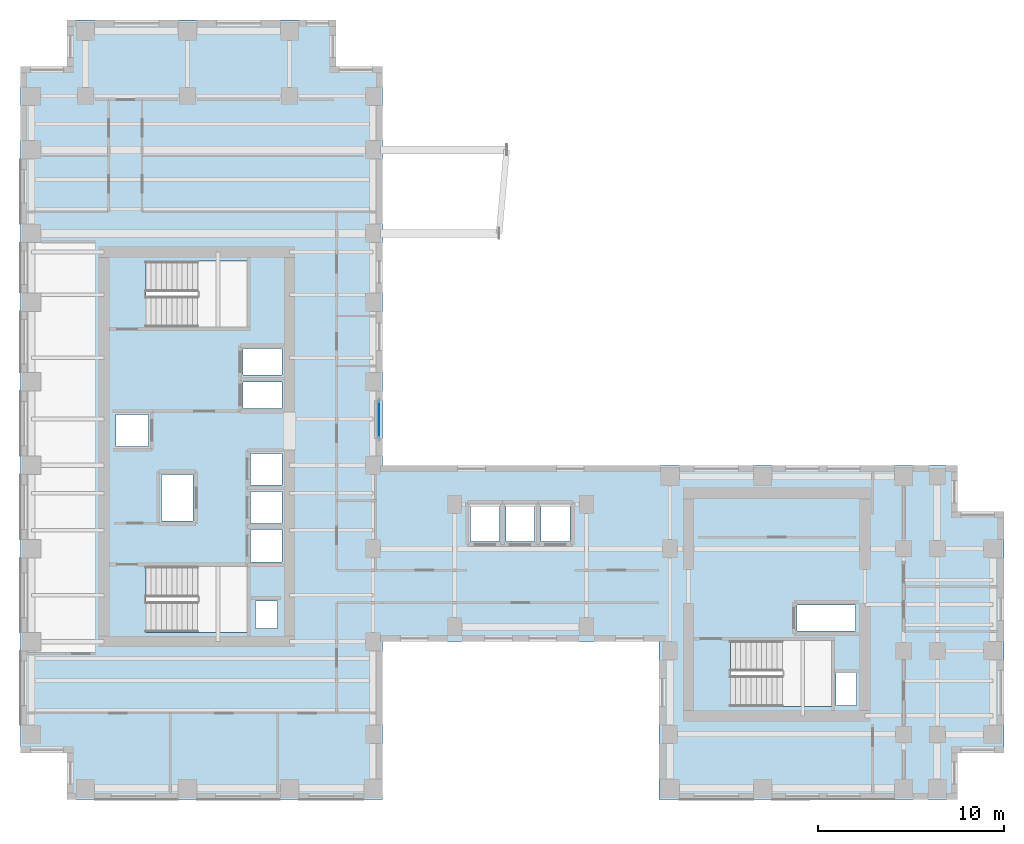
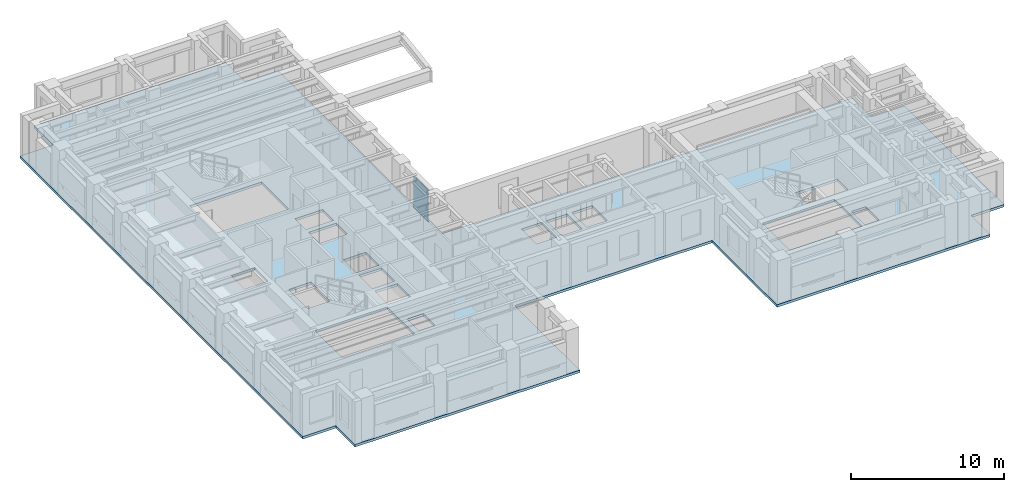
# One storey, part 4 of 14: 1 plate, 1 slab, 1 element without a shape of its own.
"""IFC4 building model written with IfcOpenShell, lengths in metres."""

from ifc_helpers import new_model, si_unit, direction, frame, origin, origin_2d, place, context, subcontext, project, spatial, polyline, rectangle, outline, extrude, source, transform, mapped, material, layer, layer_set, type_object, element, aggregate, save


model = new_model("IFC4")

# Units and contexts
model_context = context("Model", 3, precision=1e-05, world=origin(), true_north=direction((0.0, 1.0)))
body_context = subcontext(model_context, "Body", "Model", "MODEL_VIEW")
ifc_project = project(units=[si_unit("LENGTHUNIT", "METRE"), si_unit("AREAUNIT", "SQUARE_METRE"), si_unit("VOLUMEUNIT", "CUBIC_METRE"), si_unit("PLANEANGLEUNIT", "RADIAN"), si_unit("MASSUNIT", "GRAM", prefix="KILO")], contexts=[model_context])

# Site, building, storey
site_placement = place(None, origin())
site = spatial("IfcSite", under=ifc_project, at=site_placement, CompositionType="ELEMENT")
building_placement = place(site_placement, origin())
building = spatial("IfcBuilding", under=site, at=building_placement, Name="Kharzan Plaza Tower", CompositionType="ELEMENT")
storey_placement = place(building_placement, frame((0.0, 0.0, 168.300048828125)))
storey = spatial("IfcBuildingStorey", under=building, at=storey_placement, Name="L45", CompositionType="ELEMENT", Elevation=168.300048828125)

# Slab
ifc_material_1 = material(Name="Concrete C40/50", Category="concrete")
ifc_layer_1 = layer(ifc_material_1, 0.199951171875)
ifc_layer_set_1 = layer_set([ifc_layer_1], Name="Concrete C40/50")
slab_type = type_object("IfcSlabType", Name="SL-FLOOR-200", PredefinedType="FLOOR", material=ifc_layer_set_1)
slab_placement = place(storey_placement, frame((0.0, 0.0, -0.199951171875)))
element("IfcSlab", 1, at=slab_placement, inside=storey, type_object=slab_type, Name="L45 Composite Structural Floor Slab 200 mm", PredefinedType="FLOOR", context=body_context, shape_type="SweptSolid", body=[
    extrude(outline(polyline([(34.39990234375, 18.0), (19.5, 18.0), (19.5, 39.5), (17.0, 39.5), (17.0, 42.0), (2.5, 42.0), (2.5, 39.5), (0.0, 39.5), (0.0, 2.5), (2.5, 2.5), (2.5, 0.0), (19.5, 0.0), (19.5, 8.5), (34.39990234375, 8.5), (34.39990234375, 0.0), (50.5, 0.0), (50.5, 2.5), (53.0, 2.5), (53.0, 15.5), (50.5, 15.5), (50.5, 18.0), (34.39990234375, 18.0)]), holes=[polyline([(12.199951171875, 9.0), (12.199951171875, 12.550048828125), (6.75, 12.550048828125), (6.75, 9.0), (12.199951171875, 9.0)]), polyline([(14.10009765625, 12.800048828125), (14.10009765625, 14.530029296875), (12.39990234375, 14.530029296875), (12.39990234375, 12.800048828125), (14.10009765625, 12.800048828125)]), polyline([(14.10009765625, 14.8701171875), (14.10009765625, 16.60009765625), (12.39990234375, 16.60009765625), (12.39990234375, 14.8701171875), (14.10009765625, 14.8701171875)]), polyline([(9.300048828125, 15.0), (9.300048828125, 17.5), (7.60009765625, 17.5), (7.60009765625, 15.0), (9.300048828125, 15.0)]), polyline([(6.89990234375, 19.010009765625), (6.89990234375, 20.72998046875), (5.14990234375, 20.72998046875), (5.14990234375, 19.010009765625), (6.89990234375, 19.010009765625)]), polyline([(14.10009765625, 21.070068359375), (14.10009765625, 22.489990234375), (12.0, 22.489990234375), (12.0, 21.070068359375), (14.10009765625, 21.070068359375)]), polyline([(14.10009765625, 22.8701171875), (14.10009765625, 24.2900390625), (12.0, 24.2900390625), (12.0, 22.8701171875), (14.10009765625, 22.8701171875)]), polyline([(12.199951171875, 25.449951171875), (12.199951171875, 29.0), (6.75, 29.0), (6.75, 25.449951171875), (12.199951171875, 25.449951171875)]), polyline([(45.050048828125, 5.050048828125), (45.050048828125, 6.800048828125), (43.949951171875, 6.800048828125), (43.949951171875, 5.050048828125), (45.050048828125, 5.050048828125)]), polyline([(43.699951171875, 5.0), (43.699951171875, 8.550048828125), (38.25, 8.550048828125), (38.25, 5.0), (43.699951171875, 5.0)]), polyline([(45.0, 9.070068359375), (45.0, 10.469970703125), (41.85009765625, 10.469970703125), (41.85009765625, 9.070068359375), (45.0, 9.070068359375)]), polyline([(13.85009765625, 9.199951171875), (13.85009765625, 10.699951171875), (12.64990234375, 10.699951171875), (12.64990234375, 9.199951171875), (13.85009765625, 9.199951171875)]), polyline([(25.800048828125, 13.89990234375), (25.800048828125, 15.85009765625), (24.25, 15.85009765625), (24.25, 13.89990234375), (25.800048828125, 13.89990234375)]), polyline([(27.699951171875, 13.89990234375), (27.699951171875, 15.85009765625), (26.14990234375, 15.85009765625), (26.14990234375, 13.89990234375), (27.699951171875, 13.89990234375)]), polyline([(29.60009765625, 13.89990234375), (29.60009765625, 15.85009765625), (28.050048828125, 15.85009765625), (28.050048828125, 13.89990234375), (29.60009765625, 13.89990234375)]), polyline([(14.10009765625, 16.93994140625), (14.10009765625, 18.64990234375), (12.39990234375, 18.64990234375), (12.39990234375, 16.93994140625), (14.10009765625, 16.93994140625)])]), origin(), (0.0, 0.0, 1.0), 0.199951171875),
])

# Curtain wall, plate
ifc_material_2 = material(Name="Unitised Bronze-Anodized Aluminium and Low-E Glass", Category="aluminium")
ifc_layer_2 = layer(ifc_material_2, 0.199951171875)
ifc_layer_set_2 = layer_set([ifc_layer_2], Name="Unitised Bronze-Anodized Aluminium and Low-E Glass")
curtain_wall_type = type_object("IfcCurtainWallType", Name="CW-SLOT-3", PredefinedType="NOTDEFINED", material=ifc_layer_set_2)
curtain_wall_placement = place(storey_placement, origin())
curtain_wall = element("IfcCurtainWall", 2, at=curtain_wall_placement, inside=storey, type_object=curtain_wall_type, Name="L45 West Slot Recessed Spine Curtain Wall", PredefinedType="NOTDEFINED")
ifc_material_3 = material(Name="Dark Solar-Control Double Glazing", Category="glass")
ifc_layer_3 = layer(ifc_material_3, 0.031982421875)
ifc_layer_set_3 = layer_set([ifc_layer_3], Name="Dark Solar-Control Double Glazing")
plate_type = type_object("IfcPlateType", Name="PLT-CW-GLASS", PredefinedType="CURTAIN_PANEL", material=ifc_layer_set_3)
shared_shape = source(origin(), body_context, "Body", "SweptSolid", [
    extrude(rectangle(XDim=1.929931640625, YDim=0.031982421875, at=origin_2d()), origin(), (0.0, 0.0, 1.0), 2.5400390625),
])
plate_placement = place(storey_placement, frame((19.320068359375, 20.47509765625, 0.079833984375), z_axis=(0.0, 0.0, 1.0), x_axis=(0.0, 1.0, 0.0)))
plate = element("IfcPlate", 3, at=plate_placement, type_object=plate_type, Name="L45 Curtain-Wall Glazed Panel 00", PredefinedType="CURTAIN_PANEL", context=body_context, shape_type="MappedRepresentation", body=[
    mapped(shared_shape, transform((0.0, 0.0, 0.0), x_axis=(1.0, 0.0, 0.0), y_axis=(0.0, 1.0, 0.0), z_axis=(0.0, 0.0, 1.0))),
])
aggregate(curtain_wall, [plate])

save(model, "model.ifc")
